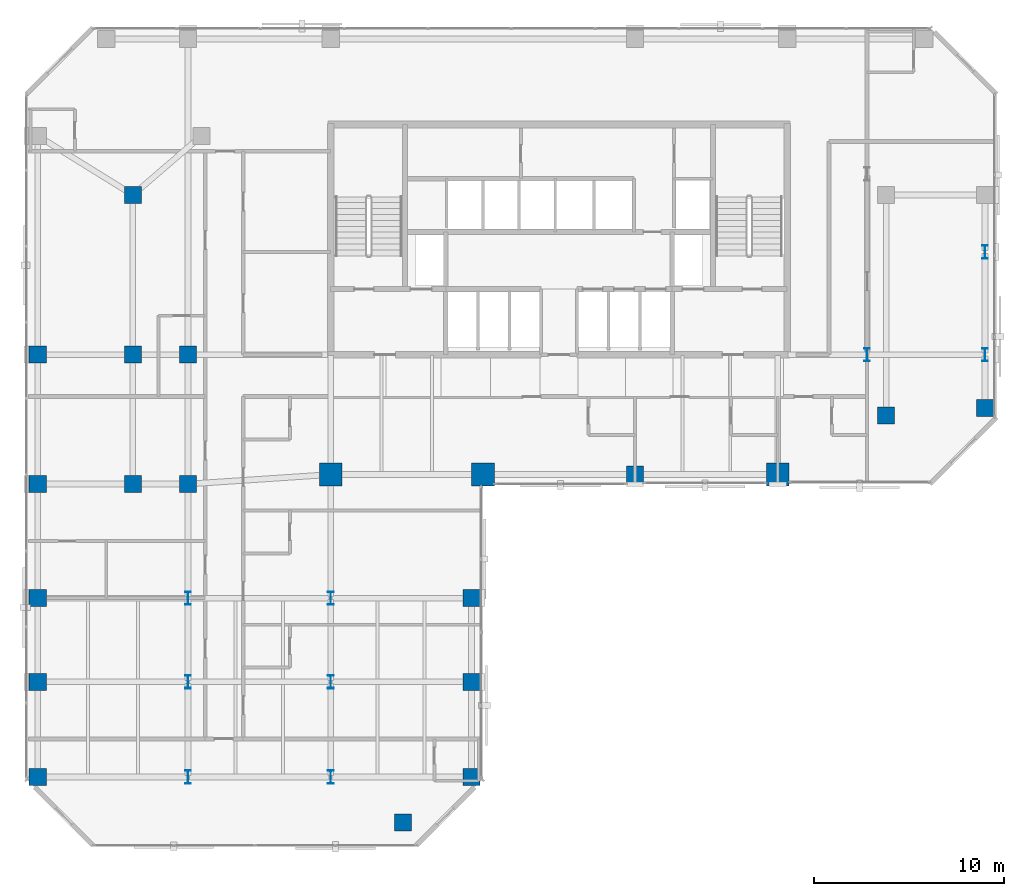
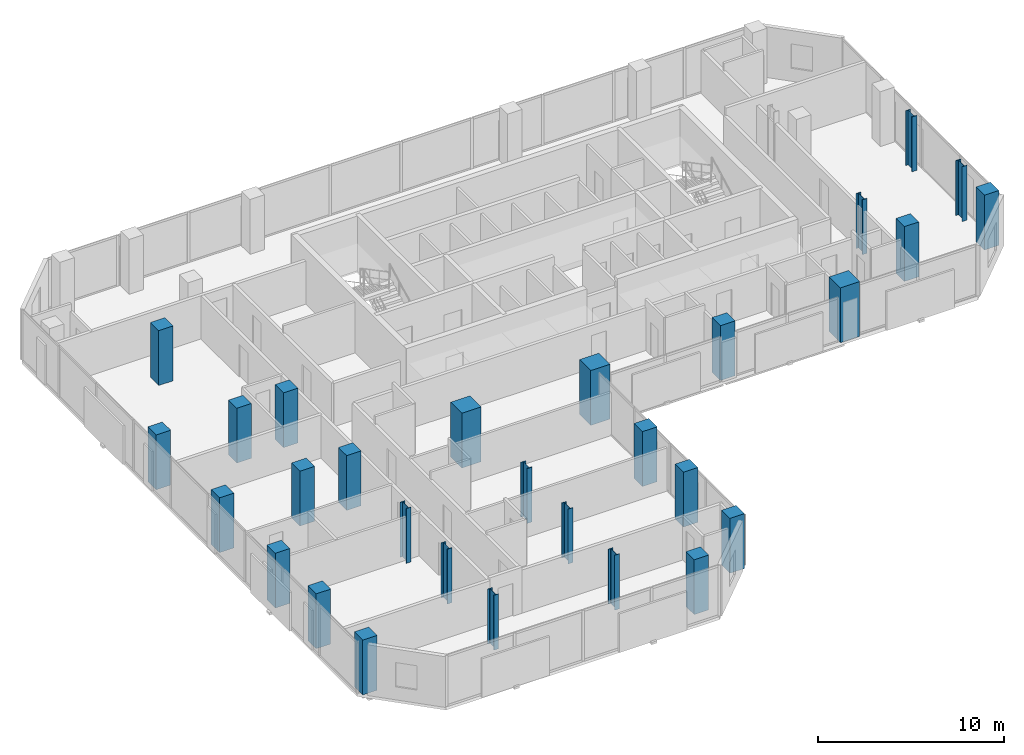
# One storey, part 1 of 35: 29 columns.
"""IFC4 building model written with IfcOpenShell, lengths in metres."""

from ifc_helpers import new_model, si_unit, direction, frame, origin, origin_2d, place, context, subcontext, project, spatial, rectangle, i_section, extrude, material, material_profile, profile_set, type_object, element, save


model = new_model("IFC4")

# Units and contexts
model_context = context("Model", 3, precision=1e-05, world=origin(), true_north=direction((0.0, 1.0)))
body_context = subcontext(model_context, "Body", "Model", "MODEL_VIEW")
ifc_project = project(units=[si_unit("LENGTHUNIT", "METRE"), si_unit("AREAUNIT", "SQUARE_METRE"), si_unit("VOLUMEUNIT", "CUBIC_METRE"), si_unit("PLANEANGLEUNIT", "RADIAN"), si_unit("MASSUNIT", "GRAM", prefix="KILO")], contexts=[model_context])

# Site, building, storey
site_placement = place(None, origin())
site = spatial("IfcSite", under=ifc_project, at=site_placement, CompositionType="ELEMENT")
building_placement = place(site_placement, origin())
building = spatial("IfcBuilding", under=site, at=building_placement, Name="Catumbela Crestline Tower", CompositionType="ELEMENT")
storey_placement = place(building_placement, frame((0.0, 0.0, 90.0)))
storey = spatial("IfcBuildingStorey", under=building, at=storey_placement, Name="L22", CompositionType="ELEMENT", Elevation=90.0)

# Columns
ifc_material_1 = material(Name="Concrete C50/60", Category="concrete")
ifc_material_profile_1 = material_profile(ifc_material_1, rectangle(XDim=1.2, YDim=1.2, at=origin_2d()), Name="RC 1200x1200")
ifc_profile_set_1 = profile_set([ifc_material_profile_1], Name="Concrete C50/60")
column_type_1 = type_object("IfcColumnType", Name="C-RC1200-C50", PredefinedType="COLUMN", material=ifc_profile_set_1)
for number, where, z_axis, x_axis, name in (
    (1, (16.0, 24.5, 0.0), (0.0, 0.0, 1.0), (1.0, 0.0, 0.0), "L22 Column C-16-24 (RC 1200x1200)"),
    (2, (24.0, 24.5, 0.0), (0.0, 0.0, 1.0), (1.0, 0.0, 0.0), "L22 Column C-24-24 (RC 1200x1200)"),
    (3, (39.5, 24.5, 0.0), (0.0, 0.0, 1.0), (1.0, 0.0, 0.0), "L22 Column C-40-24 (RC 1200x1200)"),
):
    element("IfcColumn", number, at=place(storey_placement, frame(where, z_axis=z_axis, x_axis=x_axis)), inside=storey, type_object=column_type_1, Name=name, PredefinedType="COLUMN", context=body_context, shape_type="SweptSolid", body=[
        extrude(rectangle(XDim=1.2, YDim=1.2, at=origin_2d()), origin(), (0.0, 0.0, 1.0), 3.6),
    ])
ifc_material_profile_2 = material_profile(ifc_material_1, rectangle(XDim=0.9, YDim=0.9, at=origin_2d()), Name="RC 900x900")
ifc_profile_set_2 = profile_set([ifc_material_profile_2], Name="Concrete C50/60")
column_type_2 = type_object("IfcColumnType", Name="C-RC900-C50", PredefinedType="COLUMN", material=ifc_profile_set_2)
for number, where, z_axis, x_axis, name in (
    (4, (8.5, 24.0, 0.0), (0.0, 0.0, 1.0), (1.0, 0.0, 0.0), "L22 Column C-08-24 (RC 900x900)"),
    (5, (32.0, 24.5, 0.0), (0.0, 0.0, 1.0), (1.0, 0.0, 0.0), "L22 Column C-32-24 (RC 900x900)"),
    (6, (5.6, 24.0, 0.0), (0.0, 0.0, 1.0), (1.0, 0.0, 0.0), "L22 Column C-05-24 (RC 900x900)"),
    (7, (5.6, 30.8, 0.0), (0.0, 0.0, 1.0), (1.0, 0.0, 0.0), "L22 Column C-05-31 (RC 900x900)"),
    (8, (5.6, 39.2, 0.0), (0.0, 0.0, 1.0), (1.0, 0.0, 0.0), "L22 Column C-05-43 (RC 900x900)"),
    (9, (8.5, 30.8, 0.0), (0.0, 0.0, 1.0), (1.0, 0.0, 0.0), "L22 Column C-08-31 (RC 900x900)"),
    (10, (45.2, 27.6, 0.0), (0.0, 0.0, 1.0), (1.0, 0.0, 0.0), "L22 Column C-46-24 (RC 900x900)"),
    (11, (0.6, 24.0, 0.0), (0.0, 0.0, 1.0), (1.0, 0.0, 0.0), "L22 Column C-00-24 (RC 900x900)"),
    (12, (0.6, 30.8, 0.0), (0.0, 0.0, 1.0), (1.0, 0.0, 0.0), "L22 Column C-00-31 (RC 900x900)"),
    (13, (50.4, 28.0, 0.0), (0.0, 0.0, 1.0), (1.0, 0.0, 0.0), "L22 Column C-51-24 (RC 900x900)"),
    (14, (0.6, 8.6, 0.0), (0.0, 0.0, 1.0), (1.0, 0.0, 0.0), "L22 Column C-00-05 (RC 900x900)"),
    (15, (0.6, 13.6, 0.0), (0.0, 0.0, 1.0), (1.0, 0.0, 0.0), "L22 Column C-00-10 (RC 900x900)"),
    (16, (0.6, 18.0, 0.0), (0.0, 0.0, 1.0), (1.0, 0.0, 0.0), "L22 Column C-00-16 (RC 900x900)"),
    (17, (19.8, 6.2, 0.0), (0.0, 0.0, 1.0), (1.0, 0.0, 0.0), "L22 Column C-24-05 (RC 900x900)"),
    (18, (23.4, 8.6, 0.0), (0.0, 0.0, 1.0), (1.0, 0.0, 0.0), "L22 Column C-23-08 (RC 900x900)"),
    (19, (23.4, 13.6, 0.0), (0.0, 0.0, 1.0), (1.0, 0.0, 0.0), "L22 Column C-24-10 (RC 900x900)"),
    (20, (23.4, 18.0, 0.0), (0.0, 0.0, 1.0), (1.0, 0.0, 0.0), "L22 Column C-24-16 (RC 900x900)"),
):
    element("IfcColumn", number, at=place(storey_placement, frame(where, z_axis=z_axis, x_axis=x_axis)), inside=storey, type_object=column_type_2, Name=name, PredefinedType="COLUMN", context=body_context, shape_type="SweptSolid", body=[
        extrude(rectangle(XDim=0.9, YDim=0.9, at=origin_2d()), origin(), (0.0, 0.0, 1.0), 3.6),
    ])
ifc_material_2 = material(Name="Structural steel S460M", Category="steel")
ifc_material_profile_3 = material_profile(ifc_material_2, i_section(OverallWidth=0.3, OverallDepth=0.7, WebThickness=0.017, FlangeThickness=0.032, FilletRadius=0.027, at=origin_2d()), Name="HEB 700")
ifc_profile_set_3 = profile_set([ifc_material_profile_3], Name="Structural steel S460M")
column_type_3 = type_object("IfcColumnType", Name="C-ST-HEB700", PredefinedType="COLUMN", material=ifc_profile_set_3)
for number, where, z_axis, x_axis, name in (
    (21, (8.5, 8.6, 0.0), (0.0, 0.0, 1.0), (1.0, 0.0, 0.0), "L22 Column CT-05-05 (HEB 700)"),
    (22, (16.0, 8.6, 0.0), (0.0, 0.0, 1.0), (1.0, 0.0, 0.0), "L22 Column CT-14-05 (HEB 700)"),
    (23, (8.5, 13.6, 0.0), (0.0, 0.0, 1.0), (1.0, 0.0, 0.0), "L22 Column CT-05-10 (HEB 700)"),
    (24, (16.0, 13.6, 0.0), (0.0, 0.0, 1.0), (1.0, 0.0, 0.0), "L22 Column CT-14-10 (HEB 700)"),
    (25, (8.5, 18.0, 0.0), (0.0, 0.0, 1.0), (1.0, 0.0, 0.0), "L22 Column CT-05-16 (HEB 700)"),
    (26, (16.0, 18.0, 0.0), (0.0, 0.0, 1.0), (1.0, 0.0, 0.0), "L22 Column CT-14-16 (HEB 700)"),
    (27, (44.2, 30.8, 0.0), (0.0, 0.0, 1.0), (1.0, 0.0, 0.0), "L22 Column CT-46-31 (HEB 700)"),
    (28, (50.4, 30.8, 0.0), (0.0, 0.0, 1.0), (1.0, 0.0, 0.0), "L22 Column CT-51-31 (HEB 700)"),
    (29, (50.4, 36.2, 0.0), (0.0, 0.0, 1.0), (1.0, 0.0, 0.0), "L22 Column CT-51-37 (HEB 700)"),
):
    element("IfcColumn", number, at=place(storey_placement, frame(where, z_axis=z_axis, x_axis=x_axis)), inside=storey, type_object=column_type_3, Name=name, PredefinedType="COLUMN", context=body_context, shape_type="SweptSolid", body=[
        extrude(i_section(OverallWidth=0.3, OverallDepth=0.7, WebThickness=0.017, FlangeThickness=0.032, FilletRadius=0.027, at=origin_2d()), origin(), (0.0, 0.0, 1.0), 3.6),
    ])

save(model, "model.ifc")
